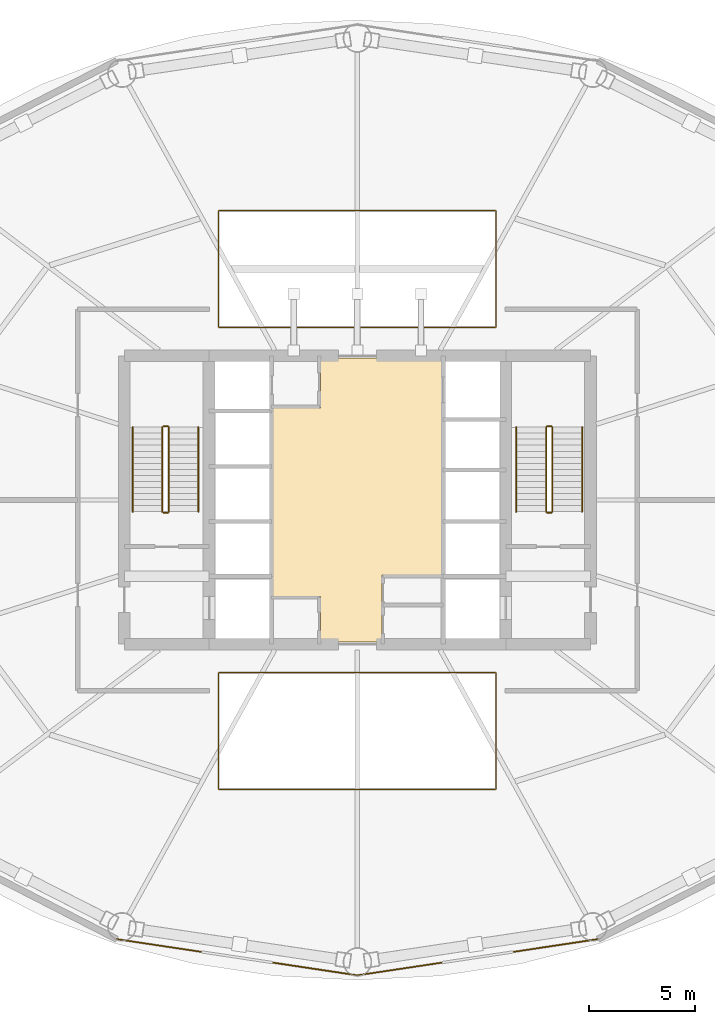
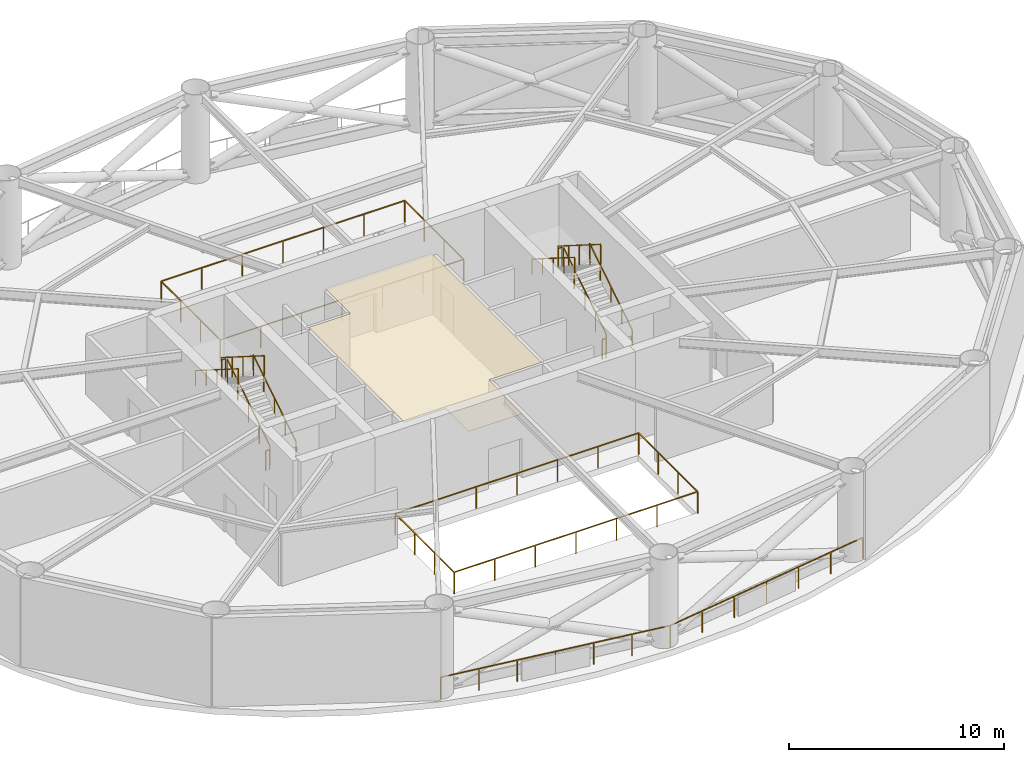
# One storey, part 6 of 7: 16 railings, 1 covering.
"""IFC4 building model written with IfcOpenShell, lengths in metres."""

from ifc_helpers import new_model, si_unit, direction, frame, origin, origin_2d, place, context, subcontext, project, spatial, polyline, rectangle, outline, extrude, material, layer, layer_set, type_object, element, save


model = new_model("IFC4")

# Units and contexts
model_context = context("Model", 3, precision=1e-05, world=origin(), true_north=direction((0.0, 1.0)))
body_context = subcontext(model_context, "Body", "Model", "MODEL_VIEW")
ifc_project = project(units=[si_unit("LENGTHUNIT", "METRE"), si_unit("AREAUNIT", "SQUARE_METRE"), si_unit("VOLUMEUNIT", "CUBIC_METRE"), si_unit("PLANEANGLEUNIT", "RADIAN"), si_unit("MASSUNIT", "GRAM", prefix="KILO")], contexts=[model_context])

# Site, building, storey
site_placement = place(None, origin())
site = spatial("IfcSite", under=ifc_project, at=site_placement, CompositionType="ELEMENT")
building_placement = place(site_placement, origin())
building = spatial("IfcBuilding", under=site, at=building_placement, Name="Sarneth Arch Tower", CompositionType="ELEMENT")
storey_placement = place(building_placement, frame((0.0, 0.0, 139.800048828125)))
storey = spatial("IfcBuildingStorey", under=building, at=storey_placement, Name="L35", CompositionType="ELEMENT", Elevation=139.800048828125)

# Covering
ifc_material_1 = material(Name="Perforated acoustic gypsum ceiling board")
ifc_layer = layer(ifc_material_1, 0.02490234375)
ifc_layer_set = layer_set([ifc_layer], Name="Perforated acoustic gypsum ceiling board")
covering_type = type_object("IfcCoveringType", Name="COV-CEIL-GYP", PredefinedType="CEILING", material=ifc_layer_set)
covering_placement = place(storey_placement, frame((0.0, 0.0, 3.320068359375)))
element("IfcCovering", 1, at=covering_placement, inside=storey, type_object=covering_type, Name="L35 Lift lobby acoustic ceiling", PredefinedType="CEILING", context=body_context, shape_type="SweptSolid", body=[
    extrude(outline(polyline([(49.14990234375, 38.449951171875), (49.14990234375, 35.300048828125), (46.25, 35.300048828125), (46.25, 37.449951171875), (44.0, 37.449951171875), (44.0, 46.35009765625), (46.25, 46.35009765625), (46.25, 48.699951171875), (52.0, 48.699951171875), (52.0, 38.449951171875), (49.14990234375, 38.449951171875)])), origin(), (0.0, 0.0, 1.0), 0.02978515625),
])

# Railings
ifc_material_2 = material(Name="Brushed Stainless Steel 304 tubular handrail", Category="steel")
railing_type_1 = type_object("IfcRailingType", Name="RAIL-HANDRAIL-900", PredefinedType="HANDRAIL", material=ifc_material_2)
railing_1_placement = place(storey_placement, frame((40.5, 41.449951171875, 0.179931640625)))
element("IfcRailing", 2, at=railing_1_placement, inside=storey, type_object=railing_type_1, Name="L35 ST-1 stair handrail 1", PredefinedType="HANDRAIL", context=body_context, shape_type="SweptSolid", body=[
    extrude(rectangle(XDim=0.048095703125, YDim=0.048095703125, at=origin_2d()), frame((0.0, 0.0, 0.8759765625), z_axis=(0.0, 0.845486444383, 0.533996884227), x_axis=(-1.0, 0.0, 0.0)), (0.0, 0.0, 1.0), 4.71923828125),
    extrude(rectangle(XDim=0.0419921875, YDim=0.0419921875, at=origin_2d()), origin(), (0.0, 0.0, 1.0), 0.851806640625),
    extrude(rectangle(XDim=0.0419921875, YDim=0.0419921875, at=origin_2d()), frame((0.0, 0.99755859375, 0.6298828125)), (0.0, 0.0, 1.0), 0.851806640625),
    extrude(rectangle(XDim=0.0419921875, YDim=0.0419921875, at=origin_2d()), frame((0.0, 1.9951171875, 1.260009765625)), (0.0, 0.0, 1.0), 0.851806640625),
    extrude(rectangle(XDim=0.0419921875, YDim=0.0419921875, at=origin_2d()), frame((0.0, 2.992431640625, 1.89013671875)), (0.0, 0.0, 1.0), 0.851806640625),
    extrude(rectangle(XDim=0.0419921875, YDim=0.0419921875, at=origin_2d()), frame((0.0, 3.989990234375, 2.52001953125)), (0.0, 0.0, 1.0), 0.851806640625),
])
railing_2_placement = place(storey_placement, frame((37.39990234375, 45.43994140625, 2.8798828125)))
element("IfcRailing", 3, at=railing_2_placement, inside=storey, type_object=railing_type_1, Name="L35 ST-1 stair handrail 2", PredefinedType="HANDRAIL", context=body_context, shape_type="SweptSolid", body=[
    extrude(rectangle(XDim=0.048095703125, YDim=0.048095703125, at=origin_2d()), frame((0.0, 0.0, 0.8759765625), z_axis=(0.0, -0.845486444383, 0.533996884227), x_axis=(1.0, 0.0, 0.0)), (0.0, 0.0, 1.0), 4.71923828125),
    extrude(rectangle(XDim=0.0419921875, YDim=0.0419921875, at=origin_2d()), origin(), (0.0, 0.0, 1.0), 0.851806640625),
    extrude(rectangle(XDim=0.0419921875, YDim=0.0419921875, at=origin_2d()), frame((0.0, -0.99755859375, 0.6298828125)), (0.0, 0.0, 1.0), 0.851806640625),
    extrude(rectangle(XDim=0.0419921875, YDim=0.0419921875, at=origin_2d()), frame((0.0, -1.9951171875, 1.260009765625)), (0.0, 0.0, 1.0), 0.851806640625),
    extrude(rectangle(XDim=0.0419921875, YDim=0.0419921875, at=origin_2d()), frame((0.0, -2.992431640625, 1.89013671875)), (0.0, 0.0, 1.0), 0.851806640625),
    extrude(rectangle(XDim=0.0419921875, YDim=0.0419921875, at=origin_2d()), frame((0.0, -3.989990234375, 2.52001953125)), (0.0, 0.0, 1.0), 0.851806640625),
])
railing_3_placement = place(storey_placement, frame((58.60009765625, 41.449951171875, 0.179931640625)))
element("IfcRailing", 4, at=railing_3_placement, inside=storey, type_object=railing_type_1, Name="L35 ST-2 stair handrail 1", PredefinedType="HANDRAIL", context=body_context, shape_type="SweptSolid", body=[
    extrude(rectangle(XDim=0.048095703125, YDim=0.048095703125, at=origin_2d()), frame((0.0, 0.0, 0.8759765625), z_axis=(0.0, 0.845486444383, 0.533996884227), x_axis=(-1.0, 0.0, 0.0)), (0.0, 0.0, 1.0), 4.71923828125),
    extrude(rectangle(XDim=0.0419921875, YDim=0.0419921875, at=origin_2d()), origin(), (0.0, 0.0, 1.0), 0.851806640625),
    extrude(rectangle(XDim=0.0419921875, YDim=0.0419921875, at=origin_2d()), frame((0.0, 0.99755859375, 0.6298828125)), (0.0, 0.0, 1.0), 0.851806640625),
    extrude(rectangle(XDim=0.0419921875, YDim=0.0419921875, at=origin_2d()), frame((0.0, 1.9951171875, 1.260009765625)), (0.0, 0.0, 1.0), 0.851806640625),
    extrude(rectangle(XDim=0.0419921875, YDim=0.0419921875, at=origin_2d()), frame((0.0, 2.992431640625, 1.89013671875)), (0.0, 0.0, 1.0), 0.851806640625),
    extrude(rectangle(XDim=0.0419921875, YDim=0.0419921875, at=origin_2d()), frame((0.0, 3.989990234375, 2.52001953125)), (0.0, 0.0, 1.0), 0.851806640625),
])
railing_4_placement = place(storey_placement, frame((55.5, 45.43994140625, 2.8798828125)))
element("IfcRailing", 5, at=railing_4_placement, inside=storey, type_object=railing_type_1, Name="L35 ST-2 stair handrail 2", PredefinedType="HANDRAIL", context=body_context, shape_type="SweptSolid", body=[
    extrude(rectangle(XDim=0.048095703125, YDim=0.048095703125, at=origin_2d()), frame((0.0, 0.0, 0.8759765625), z_axis=(0.0, -0.845486444383, 0.533996884227), x_axis=(1.0, 0.0, 0.0)), (0.0, 0.0, 1.0), 4.71923828125),
    extrude(rectangle(XDim=0.0419921875, YDim=0.0419921875, at=origin_2d()), origin(), (0.0, 0.0, 1.0), 0.851806640625),
    extrude(rectangle(XDim=0.0419921875, YDim=0.0419921875, at=origin_2d()), frame((0.0, -0.99755859375, 0.6298828125)), (0.0, 0.0, 1.0), 0.851806640625),
    extrude(rectangle(XDim=0.0419921875, YDim=0.0419921875, at=origin_2d()), frame((0.0, -1.9951171875, 1.260009765625)), (0.0, 0.0, 1.0), 0.851806640625),
    extrude(rectangle(XDim=0.0419921875, YDim=0.0419921875, at=origin_2d()), frame((0.0, -2.992431640625, 1.89013671875)), (0.0, 0.0, 1.0), 0.851806640625),
    extrude(rectangle(XDim=0.0419921875, YDim=0.0419921875, at=origin_2d()), frame((0.0, -3.989990234375, 2.52001953125)), (0.0, 0.0, 1.0), 0.851806640625),
])
ifc_material_3 = material(Name="Painted Steel S275 stair well guard", Category="steel")
railing_type_2 = type_object("IfcRailingType", Name="RAIL-STAIR-GUARD", PredefinedType="GUARDRAIL", material=ifc_material_3)
railing_5_placement = place(storey_placement, frame((39.10009765625, 41.449951171875, 0.179931640625)))
element("IfcRailing", 6, at=railing_5_placement, inside=storey, type_object=railing_type_2, Name="L35 ST-1 stair guard 1", PredefinedType="GUARDRAIL", context=body_context, shape_type="SweptSolid", body=[
    extrude(rectangle(XDim=0.048095703125, YDim=0.048095703125, at=origin_2d()), frame((0.0, 0.0, 1.1259765625), z_axis=(0.0, 0.845486444383, 0.533996884227), x_axis=(-1.0, 0.0, 0.0)), (0.0, 0.0, 1.0), 4.71923828125),
    extrude(rectangle(XDim=0.0419921875, YDim=0.0419921875, at=origin_2d()), origin(), (0.0, 0.0, 1.0), 1.101806640625),
    extrude(rectangle(XDim=0.0419921875, YDim=0.0419921875, at=origin_2d()), frame((0.0, 0.99755859375, 0.6298828125)), (0.0, 0.0, 1.0), 1.101806640625),
    extrude(rectangle(XDim=0.0419921875, YDim=0.0419921875, at=origin_2d()), frame((0.0, 1.9951171875, 1.260009765625)), (0.0, 0.0, 1.0), 1.101806640625),
    extrude(rectangle(XDim=0.0419921875, YDim=0.0419921875, at=origin_2d()), frame((0.0, 2.992431640625, 1.89013671875)), (0.0, 0.0, 1.0), 1.101806640625),
    extrude(rectangle(XDim=0.0419921875, YDim=0.0419921875, at=origin_2d()), frame((0.0, 3.989990234375, 2.52001953125)), (0.0, 0.0, 1.0), 1.101806640625),
])
railing_6_placement = place(storey_placement, frame((39.050048828125, 45.489990234375, 2.699951171875)))
element("IfcRailing", 7, at=railing_6_placement, inside=storey, type_object=railing_type_2, Name="L35 ST-1 stair guard 2", PredefinedType="GUARDRAIL", context=body_context, shape_type="SweptSolid", body=[
    extrude(rectangle(XDim=0.048095703125, YDim=0.048095703125, at=origin_2d()), frame((0.0, 0.0, 1.1259765625), z_axis=(-1.0, 0.0, 0.0), x_axis=(0.0, -1.0, 0.0)), (0.0, 0.0, 1.0), 0.199951171875),
    extrude(rectangle(XDim=0.0419921875, YDim=0.0419921875, at=origin_2d()), origin(), (0.0, 0.0, 1.0), 1.101806640625),
    extrude(rectangle(XDim=0.0419921875, YDim=0.0419921875, at=origin_2d()), frame((-0.199951171875, 0.0, 0.0)), (0.0, 0.0, 1.0), 1.101806640625),
])
railing_7_placement = place(storey_placement, frame((38.800048828125, 45.43994140625, 2.8798828125)))
element("IfcRailing", 8, at=railing_7_placement, inside=storey, type_object=railing_type_2, Name="L35 ST-1 stair guard 3", PredefinedType="GUARDRAIL", context=body_context, shape_type="SweptSolid", body=[
    extrude(rectangle(XDim=0.048095703125, YDim=0.048095703125, at=origin_2d()), frame((0.0, 0.0, 1.1259765625), z_axis=(0.0, -0.845486444383, 0.533996884227), x_axis=(1.0, 0.0, 0.0)), (0.0, 0.0, 1.0), 4.71923828125),
    extrude(rectangle(XDim=0.0419921875, YDim=0.0419921875, at=origin_2d()), origin(), (0.0, 0.0, 1.0), 1.101806640625),
    extrude(rectangle(XDim=0.0419921875, YDim=0.0419921875, at=origin_2d()), frame((0.0, -0.99755859375, 0.6298828125)), (0.0, 0.0, 1.0), 1.101806640625),
    extrude(rectangle(XDim=0.0419921875, YDim=0.0419921875, at=origin_2d()), frame((0.0, -1.9951171875, 1.260009765625)), (0.0, 0.0, 1.0), 1.101806640625),
    extrude(rectangle(XDim=0.0419921875, YDim=0.0419921875, at=origin_2d()), frame((0.0, -2.992431640625, 1.89013671875)), (0.0, 0.0, 1.0), 1.101806640625),
    extrude(rectangle(XDim=0.0419921875, YDim=0.0419921875, at=origin_2d()), frame((0.0, -3.989990234375, 2.52001953125)), (0.0, 0.0, 1.0), 1.101806640625),
])
railing_8_placement = place(storey_placement, frame((39.050048828125, 41.39990234375, 0.0)))
element("IfcRailing", 9, at=railing_8_placement, inside=storey, type_object=railing_type_2, Name="L35 ST-1 stair guard 4", PredefinedType="GUARDRAIL", context=body_context, shape_type="SweptSolid", body=[
    extrude(rectangle(XDim=0.048095703125, YDim=0.048095703125, at=origin_2d()), frame((0.0, 0.0, 1.1259765625), z_axis=(-1.0, 0.0, 0.0), x_axis=(0.0, -1.0, 0.0)), (0.0, 0.0, 1.0), 0.199951171875),
    extrude(rectangle(XDim=0.0419921875, YDim=0.0419921875, at=origin_2d()), origin(), (0.0, 0.0, 1.0), 1.101806640625),
    extrude(rectangle(XDim=0.0419921875, YDim=0.0419921875, at=origin_2d()), frame((-0.199951171875, 0.0, 0.0)), (0.0, 0.0, 1.0), 1.101806640625),
])
railing_9_placement = place(storey_placement, frame((57.199951171875, 41.449951171875, 0.179931640625)))
element("IfcRailing", 10, at=railing_9_placement, inside=storey, type_object=railing_type_2, Name="L35 ST-2 stair guard 1", PredefinedType="GUARDRAIL", context=body_context, shape_type="SweptSolid", body=[
    extrude(rectangle(XDim=0.048095703125, YDim=0.048095703125, at=origin_2d()), frame((0.0, 0.0, 1.1259765625), z_axis=(0.0, 0.845486444383, 0.533996884227), x_axis=(-1.0, 0.0, 0.0)), (0.0, 0.0, 1.0), 4.71923828125),
    extrude(rectangle(XDim=0.0419921875, YDim=0.0419921875, at=origin_2d()), origin(), (0.0, 0.0, 1.0), 1.101806640625),
    extrude(rectangle(XDim=0.0419921875, YDim=0.0419921875, at=origin_2d()), frame((0.0, 0.99755859375, 0.6298828125)), (0.0, 0.0, 1.0), 1.101806640625),
    extrude(rectangle(XDim=0.0419921875, YDim=0.0419921875, at=origin_2d()), frame((0.0, 1.9951171875, 1.260009765625)), (0.0, 0.0, 1.0), 1.101806640625),
    extrude(rectangle(XDim=0.0419921875, YDim=0.0419921875, at=origin_2d()), frame((0.0, 2.992431640625, 1.89013671875)), (0.0, 0.0, 1.0), 1.101806640625),
    extrude(rectangle(XDim=0.0419921875, YDim=0.0419921875, at=origin_2d()), frame((0.0, 3.989990234375, 2.52001953125)), (0.0, 0.0, 1.0), 1.101806640625),
])
railing_10_placement = place(storey_placement, frame((57.14990234375, 45.489990234375, 2.699951171875)))
element("IfcRailing", 11, at=railing_10_placement, inside=storey, type_object=railing_type_2, Name="L35 ST-2 stair guard 2", PredefinedType="GUARDRAIL", context=body_context, shape_type="SweptSolid", body=[
    extrude(rectangle(XDim=0.048095703125, YDim=0.048095703125, at=origin_2d()), frame((0.0, 0.0, 1.1259765625), z_axis=(-1.0, 0.0, 0.0), x_axis=(0.0, -1.0, 0.0)), (0.0, 0.0, 1.0), 0.199951171875),
    extrude(rectangle(XDim=0.0419921875, YDim=0.0419921875, at=origin_2d()), origin(), (0.0, 0.0, 1.0), 1.101806640625),
    extrude(rectangle(XDim=0.0419921875, YDim=0.0419921875, at=origin_2d()), frame((-0.199951171875, 0.0, 0.0)), (0.0, 0.0, 1.0), 1.101806640625),
])
railing_11_placement = place(storey_placement, frame((56.89990234375, 45.43994140625, 2.8798828125)))
element("IfcRailing", 12, at=railing_11_placement, inside=storey, type_object=railing_type_2, Name="L35 ST-2 stair guard 3", PredefinedType="GUARDRAIL", context=body_context, shape_type="SweptSolid", body=[
    extrude(rectangle(XDim=0.048095703125, YDim=0.048095703125, at=origin_2d()), frame((0.0, 0.0, 1.1259765625), z_axis=(0.0, -0.845486444383, 0.533996884227), x_axis=(1.0, 0.0, 0.0)), (0.0, 0.0, 1.0), 4.71923828125),
    extrude(rectangle(XDim=0.0419921875, YDim=0.0419921875, at=origin_2d()), origin(), (0.0, 0.0, 1.0), 1.101806640625),
    extrude(rectangle(XDim=0.0419921875, YDim=0.0419921875, at=origin_2d()), frame((0.0, -0.99755859375, 0.6298828125)), (0.0, 0.0, 1.0), 1.101806640625),
    extrude(rectangle(XDim=0.0419921875, YDim=0.0419921875, at=origin_2d()), frame((0.0, -1.9951171875, 1.260009765625)), (0.0, 0.0, 1.0), 1.101806640625),
    extrude(rectangle(XDim=0.0419921875, YDim=0.0419921875, at=origin_2d()), frame((0.0, -2.992431640625, 1.89013671875)), (0.0, 0.0, 1.0), 1.101806640625),
    extrude(rectangle(XDim=0.0419921875, YDim=0.0419921875, at=origin_2d()), frame((0.0, -3.989990234375, 2.52001953125)), (0.0, 0.0, 1.0), 1.101806640625),
])
railing_12_placement = place(storey_placement, frame((57.14990234375, 41.39990234375, 0.0)))
element("IfcRailing", 13, at=railing_12_placement, inside=storey, type_object=railing_type_2, Name="L35 ST-2 stair guard 4", PredefinedType="GUARDRAIL", context=body_context, shape_type="SweptSolid", body=[
    extrude(rectangle(XDim=0.048095703125, YDim=0.048095703125, at=origin_2d()), frame((0.0, 0.0, 1.1259765625), z_axis=(-1.0, 0.0, 0.0), x_axis=(0.0, -1.0, 0.0)), (0.0, 0.0, 1.0), 0.199951171875),
    extrude(rectangle(XDim=0.0419921875, YDim=0.0419921875, at=origin_2d()), origin(), (0.0, 0.0, 1.0), 1.101806640625),
    extrude(rectangle(XDim=0.0419921875, YDim=0.0419921875, at=origin_2d()), frame((-0.199951171875, 0.0, 0.0)), (0.0, 0.0, 1.0), 1.101806640625),
])
ifc_material_4 = material(Name="Stainless Steel 316 balustrade with vertical posts at 1,800 mm centres", Category="steel")
railing_type_3 = type_object("IfcRailingType", Name="RAIL-TERR-1250", PredefinedType="GUARDRAIL", material=ifc_material_4)
railing_13_placement = place(storey_placement, frame((41.449951171875, 50.14990234375, 0.0)))
element("IfcRailing", 14, at=railing_13_placement, inside=storey, type_object=railing_type_3, Name="L35 Wind-turbine slot deck opening guard N", PredefinedType="GUARDRAIL", context=body_context, shape_type="SweptSolid", body=[
    extrude(rectangle(XDim=0.048095703125, YDim=0.048095703125, at=origin_2d()), frame((0.0, 0.0, 1.22607421875), z_axis=(1.0, 0.0, 0.0), x_axis=(0.0, 1.0, 0.0)), (0.0, 0.0, 1.0), 13.10009765625),
    extrude(rectangle(XDim=0.048095703125, YDim=0.048095703125, at=origin_2d()), frame((13.10009765625, 0.0, 1.22607421875), z_axis=(0.0, 1.0, 0.0), x_axis=(-1.0, 0.0, 0.0)), (0.0, 0.0, 1.0), 5.5),
    extrude(rectangle(XDim=0.048095703125, YDim=0.048095703125, at=origin_2d()), frame((13.10009765625, 5.5, 1.22607421875), z_axis=(-1.0, 0.0, 0.0), x_axis=(0.0, -1.0, 0.0)), (0.0, 0.0, 1.0), 13.10009765625),
    extrude(rectangle(XDim=0.048095703125, YDim=0.048095703125, at=origin_2d()), frame((0.0, 5.5, 1.22607421875), z_axis=(0.0, -1.0, 0.0), x_axis=(1.0, 0.0, 0.0)), (0.0, 0.0, 1.0), 5.5),
    extrude(rectangle(XDim=0.0419921875, YDim=0.0419921875, at=origin_2d()), origin(), (0.0, 0.0, 1.0), 1.201904296875),
    extrude(rectangle(XDim=0.0419921875, YDim=0.0419921875, at=origin_2d()), frame((2.183349609375, 0.0, 0.0)), (0.0, 0.0, 1.0), 1.201904296875),
    extrude(rectangle(XDim=0.0419921875, YDim=0.0419921875, at=origin_2d()), frame((4.36669921875, 0.0, 0.0)), (0.0, 0.0, 1.0), 1.201904296875),
    extrude(rectangle(XDim=0.0419921875, YDim=0.0419921875, at=origin_2d()), frame((6.550048828125, 0.0, 0.0)), (0.0, 0.0, 1.0), 1.201904296875),
    extrude(rectangle(XDim=0.0419921875, YDim=0.0419921875, at=origin_2d()), frame((8.7333984375, 0.0, 0.0)), (0.0, 0.0, 1.0), 1.201904296875),
    extrude(rectangle(XDim=0.0419921875, YDim=0.0419921875, at=origin_2d()), frame((10.916748046875, 0.0, 0.0)), (0.0, 0.0, 1.0), 1.201904296875),
    extrude(rectangle(XDim=0.0419921875, YDim=0.0419921875, at=origin_2d()), frame((13.10009765625, 0.0, 0.0)), (0.0, 0.0, 1.0), 1.201904296875),
    extrude(rectangle(XDim=0.0419921875, YDim=0.0419921875, at=origin_2d()), frame((13.10009765625, 1.833251953125, 0.0)), (0.0, 0.0, 1.0), 1.201904296875),
    extrude(rectangle(XDim=0.0419921875, YDim=0.0419921875, at=origin_2d()), frame((13.10009765625, 3.666748046875, 0.0)), (0.0, 0.0, 1.0), 1.201904296875),
    extrude(rectangle(XDim=0.0419921875, YDim=0.0419921875, at=origin_2d()), frame((13.10009765625, 5.5, 0.0)), (0.0, 0.0, 1.0), 1.201904296875),
    extrude(rectangle(XDim=0.0419921875, YDim=0.0419921875, at=origin_2d()), frame((10.916748046875, 5.5, 0.0)), (0.0, 0.0, 1.0), 1.201904296875),
    extrude(rectangle(XDim=0.0419921875, YDim=0.0419921875, at=origin_2d()), frame((8.7333984375, 5.5, 0.0)), (0.0, 0.0, 1.0), 1.201904296875),
    extrude(rectangle(XDim=0.0419921875, YDim=0.0419921875, at=origin_2d()), frame((6.550048828125, 5.5, 0.0)), (0.0, 0.0, 1.0), 1.201904296875),
    extrude(rectangle(XDim=0.0419921875, YDim=0.0419921875, at=origin_2d()), frame((4.36669921875, 5.5, 0.0)), (0.0, 0.0, 1.0), 1.201904296875),
    extrude(rectangle(XDim=0.0419921875, YDim=0.0419921875, at=origin_2d()), frame((2.183349609375, 5.5, 0.0)), (0.0, 0.0, 1.0), 1.201904296875),
    extrude(rectangle(XDim=0.0419921875, YDim=0.0419921875, at=origin_2d()), frame((0.0, 5.5, 0.0)), (0.0, 0.0, 1.0), 1.201904296875),
    extrude(rectangle(XDim=0.0419921875, YDim=0.0419921875, at=origin_2d()), frame((0.0, 3.666748046875, 0.0)), (0.0, 0.0, 1.0), 1.201904296875),
    extrude(rectangle(XDim=0.0419921875, YDim=0.0419921875, at=origin_2d()), frame((0.0, 1.833251953125, 0.0)), (0.0, 0.0, 1.0), 1.201904296875),
])
railing_14_placement = place(storey_placement, frame((41.449951171875, 28.35009765625, 0.0)))
element("IfcRailing", 15, at=railing_14_placement, inside=storey, type_object=railing_type_3, Name="L35 Wind-turbine slot deck opening guard S", PredefinedType="GUARDRAIL", context=body_context, shape_type="SweptSolid", body=[
    extrude(rectangle(XDim=0.048095703125, YDim=0.048095703125, at=origin_2d()), frame((0.0, 0.0, 1.22607421875), z_axis=(1.0, 0.0, 0.0), x_axis=(0.0, 1.0, 0.0)), (0.0, 0.0, 1.0), 13.10009765625),
    extrude(rectangle(XDim=0.048095703125, YDim=0.048095703125, at=origin_2d()), frame((13.10009765625, 0.0, 1.22607421875), z_axis=(0.0, 1.0, 0.0), x_axis=(-1.0, 0.0, 0.0)), (0.0, 0.0, 1.0), 5.5),
    extrude(rectangle(XDim=0.048095703125, YDim=0.048095703125, at=origin_2d()), frame((13.10009765625, 5.5, 1.22607421875), z_axis=(-1.0, 0.0, 0.0), x_axis=(0.0, -1.0, 0.0)), (0.0, 0.0, 1.0), 13.10009765625),
    extrude(rectangle(XDim=0.048095703125, YDim=0.048095703125, at=origin_2d()), frame((0.0, 5.5, 1.22607421875), z_axis=(0.0, -1.0, 0.0), x_axis=(1.0, 0.0, 0.0)), (0.0, 0.0, 1.0), 5.5),
    extrude(rectangle(XDim=0.0419921875, YDim=0.0419921875, at=origin_2d()), origin(), (0.0, 0.0, 1.0), 1.201904296875),
    extrude(rectangle(XDim=0.0419921875, YDim=0.0419921875, at=origin_2d()), frame((2.183349609375, 0.0, 0.0)), (0.0, 0.0, 1.0), 1.201904296875),
    extrude(rectangle(XDim=0.0419921875, YDim=0.0419921875, at=origin_2d()), frame((4.36669921875, 0.0, 0.0)), (0.0, 0.0, 1.0), 1.201904296875),
    extrude(rectangle(XDim=0.0419921875, YDim=0.0419921875, at=origin_2d()), frame((6.550048828125, 0.0, 0.0)), (0.0, 0.0, 1.0), 1.201904296875),
    extrude(rectangle(XDim=0.0419921875, YDim=0.0419921875, at=origin_2d()), frame((8.7333984375, 0.0, 0.0)), (0.0, 0.0, 1.0), 1.201904296875),
    extrude(rectangle(XDim=0.0419921875, YDim=0.0419921875, at=origin_2d()), frame((10.916748046875, 0.0, 0.0)), (0.0, 0.0, 1.0), 1.201904296875),
    extrude(rectangle(XDim=0.0419921875, YDim=0.0419921875, at=origin_2d()), frame((13.10009765625, 0.0, 0.0)), (0.0, 0.0, 1.0), 1.201904296875),
    extrude(rectangle(XDim=0.0419921875, YDim=0.0419921875, at=origin_2d()), frame((13.10009765625, 1.833251953125, 0.0)), (0.0, 0.0, 1.0), 1.201904296875),
    extrude(rectangle(XDim=0.0419921875, YDim=0.0419921875, at=origin_2d()), frame((13.10009765625, 3.666748046875, 0.0)), (0.0, 0.0, 1.0), 1.201904296875),
    extrude(rectangle(XDim=0.0419921875, YDim=0.0419921875, at=origin_2d()), frame((13.10009765625, 5.5, 0.0)), (0.0, 0.0, 1.0), 1.201904296875),
    extrude(rectangle(XDim=0.0419921875, YDim=0.0419921875, at=origin_2d()), frame((10.916748046875, 5.5, 0.0)), (0.0, 0.0, 1.0), 1.201904296875),
    extrude(rectangle(XDim=0.0419921875, YDim=0.0419921875, at=origin_2d()), frame((8.7333984375, 5.5, 0.0)), (0.0, 0.0, 1.0), 1.201904296875),
    extrude(rectangle(XDim=0.0419921875, YDim=0.0419921875, at=origin_2d()), frame((6.550048828125, 5.5, 0.0)), (0.0, 0.0, 1.0), 1.201904296875),
    extrude(rectangle(XDim=0.0419921875, YDim=0.0419921875, at=origin_2d()), frame((4.36669921875, 5.5, 0.0)), (0.0, 0.0, 1.0), 1.201904296875),
    extrude(rectangle(XDim=0.0419921875, YDim=0.0419921875, at=origin_2d()), frame((2.183349609375, 5.5, 0.0)), (0.0, 0.0, 1.0), 1.201904296875),
    extrude(rectangle(XDim=0.0419921875, YDim=0.0419921875, at=origin_2d()), frame((0.0, 5.5, 0.0)), (0.0, 0.0, 1.0), 1.201904296875),
    extrude(rectangle(XDim=0.0419921875, YDim=0.0419921875, at=origin_2d()), frame((0.0, 3.666748046875, 0.0)), (0.0, 0.0, 1.0), 1.201904296875),
    extrude(rectangle(XDim=0.0419921875, YDim=0.0419921875, at=origin_2d()), frame((0.0, 1.833251953125, 0.0)), (0.0, 0.0, 1.0), 1.201904296875),
])
railing_15_placement = place(storey_placement, frame((36.648681640625, 21.27734375, 0.0)))
element("IfcRailing", 16, at=railing_15_placement, inside=storey, type_object=railing_type_3, Name="L35 Wind-turbine slot guard 12", PredefinedType="GUARDRAIL", context=body_context, shape_type="SweptSolid", body=[
    extrude(rectangle(XDim=0.048095703125, YDim=0.048095703125, at=origin_2d()), frame((0.0, 0.0, 1.22607421875), z_axis=(0.988877774656, -0.148730450117, 0.0), x_axis=(0.148730450117, 0.988877774656, 0.0)), (0.0, 0.0, 1.0), 11.47900390625),
    extrude(rectangle(XDim=0.0419921875, YDim=0.0419921875, at=origin_2d()), origin(), (0.0, 0.0, 1.0), 1.201904296875),
    extrude(rectangle(XDim=0.0419921875, YDim=0.0419921875, at=origin_2d()), frame((1.891845703125, -0.28466796875, 0.0)), (0.0, 0.0, 1.0), 1.201904296875),
    extrude(rectangle(XDim=0.0419921875, YDim=0.0419921875, at=origin_2d()), frame((3.78369140625, -0.569091796875, 0.0)), (0.0, 0.0, 1.0), 1.201904296875),
    extrude(rectangle(XDim=0.0419921875, YDim=0.0419921875, at=origin_2d()), frame((5.67578125, -0.853515625, 0.0)), (0.0, 0.0, 1.0), 1.201904296875),
    extrude(rectangle(XDim=0.0419921875, YDim=0.0419921875, at=origin_2d()), frame((7.567626953125, -1.13818359375, 0.0)), (0.0, 0.0, 1.0), 1.201904296875),
    extrude(rectangle(XDim=0.0419921875, YDim=0.0419921875, at=origin_2d()), frame((9.45947265625, -1.4228515625, 0.0)), (0.0, 0.0, 1.0), 1.201904296875),
    extrude(rectangle(XDim=0.0419921875, YDim=0.0419921875, at=origin_2d()), frame((11.351318359375, -1.707275390625, 0.0)), (0.0, 0.0, 1.0), 1.201904296875),
])
railing_16_placement = place(storey_placement, frame((48.0, 19.570068359375, 0.0)))
element("IfcRailing", 17, at=railing_16_placement, inside=storey, type_object=railing_type_3, Name="L35 Wind-turbine slot guard 13", PredefinedType="GUARDRAIL", context=body_context, shape_type="SweptSolid", body=[
    extrude(rectangle(XDim=0.048095703125, YDim=0.048095703125, at=origin_2d()), frame((0.0, 0.0, 1.22607421875), z_axis=(0.988877774656, 0.148730450117, 0.0), x_axis=(-0.148730450117, 0.988877774656, 0.0)), (0.0, 0.0, 1.0), 11.47900390625),
    extrude(rectangle(XDim=0.0419921875, YDim=0.0419921875, at=origin_2d()), origin(), (0.0, 0.0, 1.0), 1.201904296875),
    extrude(rectangle(XDim=0.0419921875, YDim=0.0419921875, at=origin_2d()), frame((1.891845703125, 0.28466796875, 0.0)), (0.0, 0.0, 1.0), 1.201904296875),
    extrude(rectangle(XDim=0.0419921875, YDim=0.0419921875, at=origin_2d()), frame((3.78369140625, 0.569091796875, 0.0)), (0.0, 0.0, 1.0), 1.201904296875),
    extrude(rectangle(XDim=0.0419921875, YDim=0.0419921875, at=origin_2d()), frame((5.67578125, 0.853515625, 0.0)), (0.0, 0.0, 1.0), 1.201904296875),
    extrude(rectangle(XDim=0.0419921875, YDim=0.0419921875, at=origin_2d()), frame((7.567626953125, 1.13818359375, 0.0)), (0.0, 0.0, 1.0), 1.201904296875),
    extrude(rectangle(XDim=0.0419921875, YDim=0.0419921875, at=origin_2d()), frame((9.45947265625, 1.4228515625, 0.0)), (0.0, 0.0, 1.0), 1.201904296875),
    extrude(rectangle(XDim=0.0419921875, YDim=0.0419921875, at=origin_2d()), frame((11.351318359375, 1.707275390625, 0.0)), (0.0, 0.0, 1.0), 1.201904296875),
])

save(model, "model.ifc")
